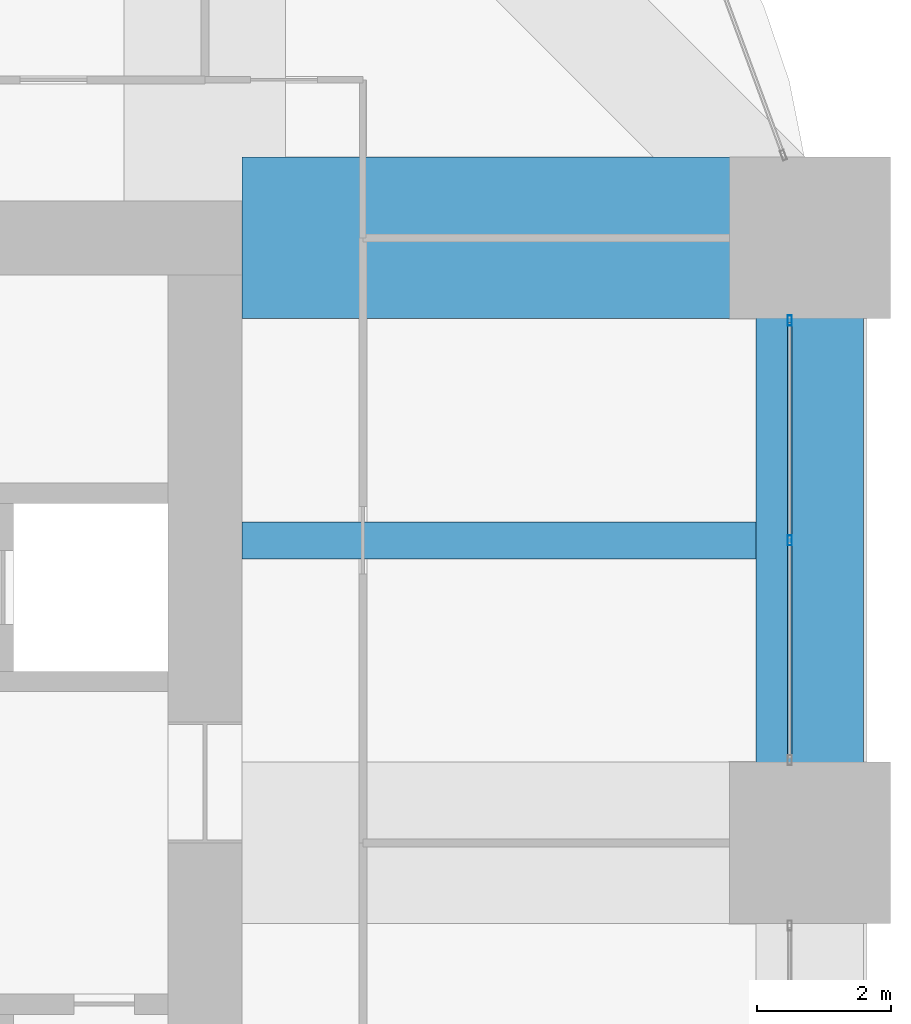
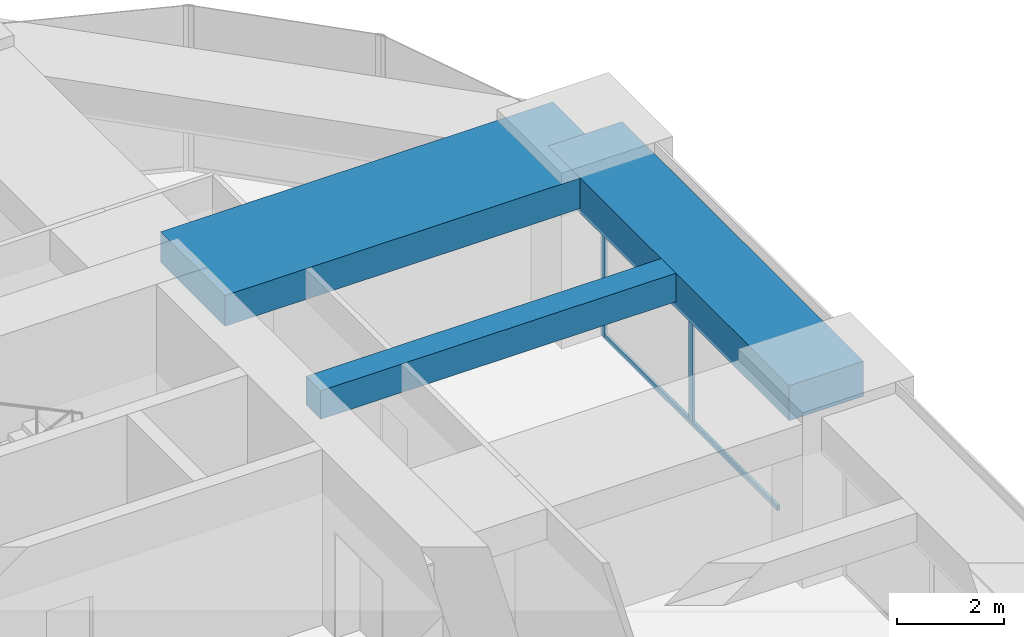
# One storey, part 27 of 35: 3 beams, 3 members, 1 element without a shape of its own.
"""IFC4 building model written with IfcOpenShell, lengths in metres."""

from ifc_helpers import new_model, si_unit, direction, frame, origin, origin_2d, place, context, subcontext, project, spatial, rectangle, hollow_rectangle, extrude, material, material_profile, profile_set, type_object, element, aggregate, save


model = new_model("IFC4")

# Units and contexts
model_context = context("Model", 3, precision=1e-05, world=origin(), true_north=direction((0.0, 1.0)))
body_context = subcontext(model_context, "Body", "Model", "MODEL_VIEW")
ifc_project = project(units=[si_unit("LENGTHUNIT", "METRE"), si_unit("AREAUNIT", "SQUARE_METRE"), si_unit("VOLUMEUNIT", "CUBIC_METRE"), si_unit("PLANEANGLEUNIT", "RADIAN"), si_unit("MASSUNIT", "GRAM", prefix="KILO")], contexts=[model_context])

# Site, building, storey
site_placement = place(None, origin())
site = spatial("IfcSite", under=ifc_project, at=site_placement, CompositionType="ELEMENT")
building_placement = place(site_placement, origin())
building = spatial("IfcBuilding", under=site, at=building_placement, Name="Zorevar Civic Tower", CompositionType="ELEMENT")
storey_placement = place(building_placement, frame((0.0, 0.0, 222.199951171875)))
storey = spatial("IfcBuildingStorey", under=building, at=storey_placement, Name="L54", CompositionType="ELEMENT", Elevation=222.199951171875)

# Beams
ifc_material_1 = material(Name="Concrete C50/60", Category="concrete")
ifc_material_profile_1 = material_profile(ifc_material_1, rectangle(XDim=2.39990234375, YDim=0.699951171875, at=origin_2d()), Name="RC 2400x700")
ifc_profile_set_1 = profile_set([ifc_material_profile_1], Name="Concrete C50/60")
beam_type_1 = type_object("IfcBeamType", Name="Beam RC 2400x700", PredefinedType="BEAM", material=ifc_profile_set_1)
beam_1_placement = place(storey_placement, frame((45.550048828125, 36.0, 3.400146484375), z_axis=(1.0, 0.0, 0.0), x_axis=(0.0, 1.0, 0.0)))
element("IfcBeam", 1, at=beam_1_placement, inside=storey, type_object=beam_type_1, Name="Girder L55", PredefinedType="BEAM", context=body_context, shape_type="SweptSolid", body=[
    extrude(rectangle(XDim=2.39990234375, YDim=0.699951171875, at=origin_2d()), origin(), (0.0, 0.0, 1.0), 8.449951171875),
])
ifc_material_2 = material(Name="Concrete C50/60", Category="concrete")
ifc_material_profile_2 = material_profile(ifc_material_2, rectangle(XDim=0.550048828125, YDim=0.64990234375, at=origin_2d()), Name="RC 550x650")
ifc_profile_set_2 = profile_set([ifc_material_profile_2], Name="Concrete C50/60")
beam_type_2 = type_object("IfcBeamType", Name="Beam RC 550x650", PredefinedType="BEAM", material=ifc_profile_set_2)
beam_2_placement = place(storey_placement, frame((45.550048828125, 31.5, 3.425048828125), z_axis=(1.0, 0.0, 0.0), x_axis=(0.0, 1.0, 0.0)))
element("IfcBeam", 2, at=beam_2_placement, inside=storey, type_object=beam_type_2, Name="Secondary beam L55", PredefinedType="BEAM", context=body_context, shape_type="SweptSolid", body=[
    extrude(rectangle(XDim=0.550048828125, YDim=0.64990234375, at=origin_2d()), origin(), (0.0, 0.0, 1.0), 7.64990234375),
])

# Curtain wall, members
ifc_material_3 = material(Name="Dark grey solar-control glass in black aluminium frame", Category="aluminium")
curtain_wall_type = type_object("IfcCurtainWallType", Name="Curtain wall CW4 high zone", PredefinedType="NOTDEFINED", material=ifc_material_3)
curtain_wall_placement = place(storey_placement, origin())
curtain_wall = element("IfcCurtainWall", 3, at=curtain_wall_placement, inside=storey, type_object=curtain_wall_type, Name="CW4 L54", PredefinedType="NOTDEFINED")
ifc_material_4 = material(Name="Aluminium, black anodised", Category="aluminium")
ifc_material_profile_3 = material_profile(ifc_material_4, hollow_rectangle(XDim=0.06005859375, YDim=0.14990234375, WallThickness=0.00390625, at=origin_2d()), Name="AL 150x60x4")
ifc_profile_set_3 = profile_set([ifc_material_profile_3], Name="Aluminium, black anodised")
member_type_1 = type_object("IfcMemberType", Name="CW4 mullion AL 150x60x4", PredefinedType="MULLION", material=ifc_profile_set_3)
member_1_placement = place(storey_placement, frame((53.699951171875, 31.5, 0.06005859375), z_axis=(0.0, 0.0, 1.0), x_axis=(-1.0, 0.0, 0.0)))
member_1 = element("IfcMember", 4, at=member_1_placement, type_object=member_type_1, Name="CW4 mullion 2", PredefinedType="MULLION", context=body_context, shape_type="SweptSolid", body=[
    extrude(hollow_rectangle(XDim=0.06005859375, YDim=0.14990234375, WallThickness=0.00390625, at=origin_2d()), origin(), (0.0, 0.0, 1.0), 2.889892578125),
])
member_2_placement = place(storey_placement, frame((53.699951171875, 34.77001953125, 0.0), z_axis=(0.0, 0.0, 1.0), x_axis=(-1.0, 0.0, 0.0)))
member_2 = element("IfcMember", 5, at=member_2_placement, type_object=member_type_1, Name="CW4 mullion 3", PredefinedType="MULLION", context=body_context, shape_type="SweptSolid", body=[
    extrude(hollow_rectangle(XDim=0.06005859375, YDim=0.14990234375, WallThickness=0.00390625, at=origin_2d()), origin(), (0.0, 0.0, 1.0), 2.949951171875),
])
ifc_material_5 = material(Name="Aluminium, black anodised", Category="aluminium")
ifc_material_profile_4 = material_profile(ifc_material_5, hollow_rectangle(XDim=0.06005859375, YDim=0.1201171875, WallThickness=0.0029296875, at=origin_2d()), Name="AL 120x60x3")
ifc_profile_set_4 = profile_set([ifc_material_profile_4], Name="Aluminium, black anodised")
member_type_2 = type_object("IfcMemberType", Name="CW4 transom AL 120x60x3", PredefinedType="USERDEFINED", material=ifc_profile_set_4)
member_3_placement = place(storey_placement, frame((53.699951171875, 28.260009765625, 0.030029296875), z_axis=(0.0, 1.0, 0.0), x_axis=(-1.0, 0.0, 0.0)))
member_3 = element("IfcMember", 6, at=member_3_placement, type_object=member_type_2, Name="CW4 sill transom", ObjectType="TRANSOM", PredefinedType="USERDEFINED", context=body_context, shape_type="SweptSolid", body=[
    extrude(hollow_rectangle(XDim=0.06005859375, YDim=0.1201171875, WallThickness=0.0029296875, at=origin_2d()), origin(), (0.0, 0.0, 1.0), 6.47998046875),
])
aggregate(curtain_wall, [member_1, member_2, member_3])

# Beam
ifc_material_6 = material(Name="Concrete C50/60", Category="concrete")
ifc_material_profile_5 = material_profile(ifc_material_6, rectangle(XDim=1.60009765625, YDim=0.800048828125, at=origin_2d()), Name="RC 1600x800")
ifc_profile_set_5 = profile_set([ifc_material_profile_5], Name="Concrete C50/60")
beam_type_3 = type_object("IfcBeamType", Name="Edge beam RC 1600x800", PredefinedType="SPANDREL", material=ifc_profile_set_5)
beam_3_placement = place(storey_placement, frame((54.0, 27.0, 3.35009765625), z_axis=(0.0, 1.0, 0.0), x_axis=(-1.0, 0.0, 0.0)))
element("IfcBeam", 7, at=beam_3_placement, inside=storey, type_object=beam_type_3, Name="Edge beam L55", PredefinedType="SPANDREL", context=body_context, shape_type="SweptSolid", body=[
    extrude(rectangle(XDim=1.60009765625, YDim=0.800048828125, at=origin_2d()), origin(), (0.0, 0.0, 1.0), 9.0),
])

save(model, "model.ifc")
